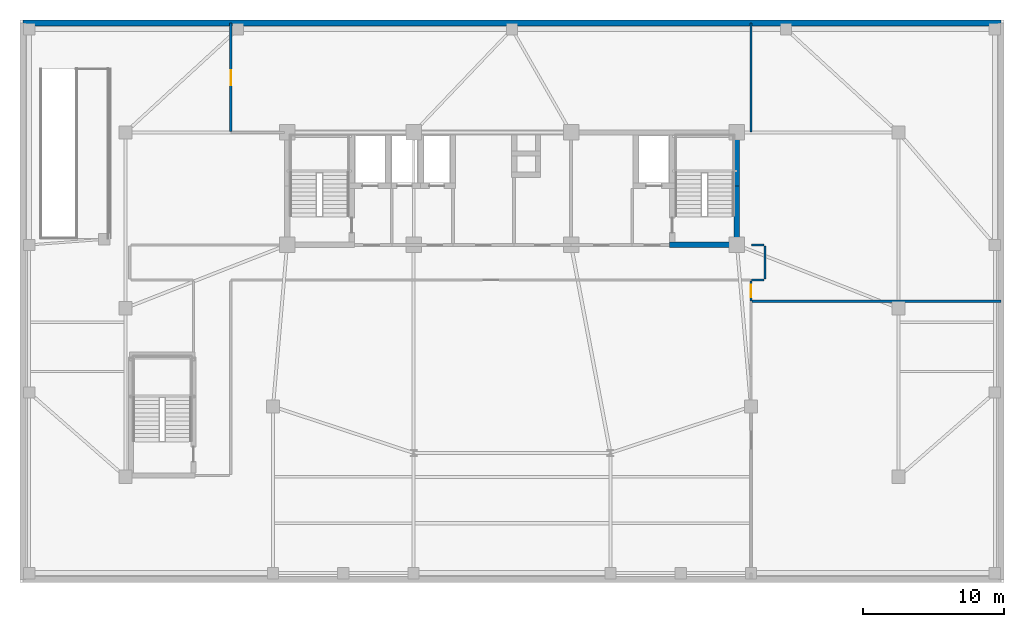
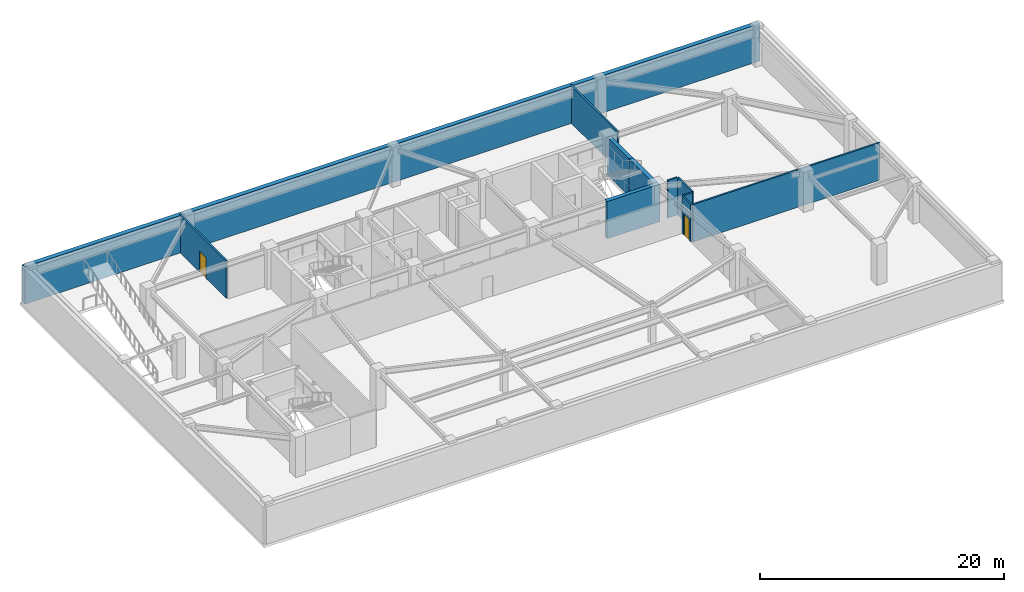
# One storey, part 5 of 8: 11 walls, 2 doors, 2 openings.
"""IFC4 building model written with IfcOpenShell, lengths in metres."""

from ifc_helpers import new_model, si_unit, direction, frame, frame_2d, origin, place, context, subcontext, project, spatial, rectangle, extrude, source, transform, mapped, material, layer, layer_set, type_object, element, fill, save


model = new_model("IFC4")

# Units and contexts
model_context = context("Model", 3, precision=1e-05, world=origin(), true_north=direction((0.0, 1.0)))
body_context = subcontext(model_context, "Body", "Model", "MODEL_VIEW")
ifc_project = project(units=[si_unit("LENGTHUNIT", "METRE"), si_unit("AREAUNIT", "SQUARE_METRE"), si_unit("VOLUMEUNIT", "CUBIC_METRE"), si_unit("PLANEANGLEUNIT", "RADIAN"), si_unit("MASSUNIT", "GRAM", prefix="KILO")], contexts=[model_context])

# Site, building, storey
site_placement = place(None, origin())
site = spatial("IfcSite", under=ifc_project, at=site_placement, CompositionType="ELEMENT")
building_placement = place(site_placement, origin())
building = spatial("IfcBuilding", under=site, at=building_placement, Name="Taldren Reach Tower", CompositionType="ELEMENT")
storey_placement = place(building_placement, frame((0.0, 0.0, -4.0)))
storey = spatial("IfcBuildingStorey", under=building, at=storey_placement, Name="B1", CompositionType="ELEMENT", Elevation=-4.0)

# Walls
ifc_material_1 = material(Name="Concrete S50 (50 MPa)", Category="concrete")
ifc_layer_1 = layer(ifc_material_1, 0.4, Name="Concrete S50 (50 MPa)", Category="concrete")
ifc_material_2 = material(Name="SBS Waterproofing Membrane", Category="bitumen")
ifc_layer_2 = layer(ifc_material_2, 0.02, Name="SBS Waterproofing Membrane", Category="bitumen")
ifc_layer_set_1 = layer_set([ifc_layer_1, ifc_layer_2], Name="Concrete 50 MPa (S50) Retaining Wall with Waterproofing Membrane")
wall_type_1 = type_object("IfcWallType", Name="EW-RET-420", PredefinedType="SOLIDWALL", material=ifc_layer_set_1)
shared_shape_1 = source(origin(), body_context, "Body", "SweptSolid", [
    extrude(rectangle(XDim=69.580078125, YDim=0.419921875, at=frame_2d((34.7900390625, 0.0))), origin(), (0.0, 0.0, 1.0), 3.739990234375),
])
wall_1_placement = place(storey_placement, frame((69.7900390625, 39.7900390625, 0.0), z_axis=(0.0, 0.0, 1.0), x_axis=(-1.0, 0.0, 0.0)))
element("IfcWall", 1, at=wall_1_placement, inside=storey, type_object=wall_type_1, Name="Basement diaphragm retaining wall B1-N", PredefinedType="SOLIDWALL", context=body_context, shape_type="MappedRepresentation", body=[
    mapped(shared_shape_1, transform((0.0, 0.0, 0.0), scale=1.0)),
])
ifc_material_3 = material(Name="Concrete S80 (80 MPa)", Category="concrete")
ifc_layer_3 = layer(ifc_material_3, 0.3798828125)
ifc_layer_set_2 = layer_set([ifc_layer_3], Name="Concrete S80 (80 MPa)")
wall_type_2 = type_object("IfcWallType", Name="IW-CORE-380", PredefinedType="SHEAR", material=ifc_layer_set_2)
shared_shape_2 = source(origin(), body_context, "Body", "SweptSolid", [
    extrude(rectangle(XDim=4.010009765625, YDim=0.3798828125, at=frame_2d((2.0048828125, 0.0))), origin(), (0.0, 0.0, 1.0), 3.739990234375),
])
wall_2_placement = place(storey_placement, frame((51.0, 24.18994140625, 0.0), z_axis=(0.0, 0.0, 1.0), x_axis=(0.0, 1.0, 0.0)))
element("IfcWall", 2, at=wall_2_placement, inside=storey, type_object=wall_type_2, Name="Rear Core Shear Wall W-CORE-B1-EAST1", PredefinedType="SHEAR", context=body_context, shape_type="MappedRepresentation", body=[
    mapped(shared_shape_2, transform((0.0, 0.0, 0.0), scale=1.0)),
])
shared_shape_3 = source(origin(), body_context, "Body", "SweptSolid", [
    extrude(rectangle(XDim=3.610107421875, YDim=0.3798828125, at=frame_2d((1.80517578125, 0.0))), origin(), (0.0, 0.0, 1.0), 3.739990234375),
])
wall_3_placement = place(storey_placement, frame((51.0, 28.199951171875, 0.0), z_axis=(0.0, 0.0, 1.0), x_axis=(0.0, 1.0, 0.0)))
element("IfcWall", 3, at=wall_3_placement, inside=storey, type_object=wall_type_2, Name="Rear Core Shear Wall W-CORE-B1-EAST2", PredefinedType="SHEAR", context=body_context, shape_type="MappedRepresentation", body=[
    mapped(shared_shape_3, transform((0.0, 0.0, 0.0), scale=1.0)),
])
shared_shape_4 = source(origin(), body_context, "Body", "SweptSolid", [
    extrude(rectangle(XDim=4.97998046875, YDim=0.3798828125, at=frame_2d((2.489990234375, 0.0))), origin(), (0.0, 0.0, 1.0), 3.739990234375),
])
wall_4_placement = place(storey_placement, frame((46.2099609375, 24.0, 0.0), z_axis=(0.0, 0.0, 1.0), x_axis=(1.0, 0.0, 0.0)))
element("IfcWall", 4, at=wall_4_placement, inside=storey, type_object=wall_type_2, Name="Rear Core Shear Wall W-INT-B1-010", PredefinedType="SHEAR", context=body_context, shape_type="MappedRepresentation", body=[
    mapped(shared_shape_4, transform((0.0, 0.0, 0.0), scale=1.0)),
])
ifc_material_4 = material(Name="Fire-Rated Acoustic Plasterboard Stud Wall", Category="gypsum")
ifc_layer_4 = layer(ifc_material_4, 0.159912109375)
ifc_layer_set_3 = layer_set([ifc_layer_4], Name="Fire-Rated Acoustic Plasterboard Stud Wall")
wall_type_3 = type_object("IfcWallType", Name="IW-FIRE-160", PredefinedType="PARTITIONING", material=ifc_layer_set_3)
shared_shape_5 = source(origin(), body_context, "Body", "SweptSolid", [
    extrude(rectangle(XDim=2.33984375, YDim=0.159912109375, at=frame_2d((1.169921875, 0.0))), origin(), (0.0, 0.0, 1.0), 3.739990234375),
])
wall_5_placement = place(storey_placement, frame((53.0, 23.919921875, 0.0), z_axis=(0.0, 0.0, 1.0), x_axis=(0.0, -1.0, 0.0)))
element("IfcWall", 5, at=wall_5_placement, inside=storey, type_object=wall_type_3, Name="Interior Partition Wall W-INT-B1-043", PredefinedType="PARTITIONING", context=body_context, shape_type="MappedRepresentation", body=[
    mapped(shared_shape_5, transform((0.0, 0.0, 0.0), scale=1.0)),
])
shared_shape_6 = source(origin(), body_context, "Body", "SweptSolid", [
    extrude(rectangle(XDim=0.899658203125, YDim=0.159912109375, at=frame_2d((0.44970703125, 0.0))), origin(), (0.0, 0.0, 1.0), 3.739990234375),
])
for number, where, z_axis, x_axis, name in (
    (6, (52.919921875, 21.5, 0.0), (0.0, 0.0, 1.0), (-1.0, 0.0, 0.0), "Interior Partition Wall W-INT-B1-044"),
    (7, (52.020263671875, 24.0, 0.0), (0.0, 0.0, 1.0), (1.0, 0.0, 0.0), "Interior Partition Wall W-INT-B1-045"),
):
    element("IfcWall", number, at=place(storey_placement, frame(where, z_axis=z_axis, x_axis=x_axis)), inside=storey, type_object=wall_type_3, Name=name, PredefinedType="PARTITIONING", context=body_context, shape_type="MappedRepresentation", body=[
        mapped(shared_shape_6, transform((0.0, 0.0, 0.0), scale=1.0)),
    ])

# Wall, opening, door
shared_shape_7 = source(origin(), body_context, "Body", "SweptSolid", [
    extrude(rectangle(XDim=1.399658203125, YDim=0.159912109375, at=frame_2d((0.69970703125, 0.0))), origin(), (0.0, 0.0, 1.0), 3.739990234375),
])
wall_6_placement = place(storey_placement, frame((52.0, 21.419921875, 0.0), z_axis=(0.0, 0.0, 1.0), x_axis=(0.0, -1.0, 0.0)))
wall_6 = element("IfcWall", 8, at=wall_6_placement, inside=storey, type_object=wall_type_3, Name="Interior Partition Wall W-INT-B1-047", PredefinedType="PARTITIONING", context=body_context, shape_type="MappedRepresentation", body=[
    mapped(shared_shape_7, transform((0.0, 0.0, 0.0), scale=1.0)),
])
shared_shape_8 = source(origin(), body_context, "Body", "SweptSolid", [
    extrude(rectangle(XDim=0.89990234375, YDim=2.10009765625, at=frame_2d((0.449951171875, 1.050048828125))), frame((0.0, 0.08984375, 0.0), z_axis=(0.0, -1.0, 0.0), x_axis=(1.0, 0.0, 0.0)), (0.0, 0.0, 1.0), 0.179931640625),
])
opening_1_placement = place(wall_6_placement, frame((0.25, 0.0, 0.0)))
opening_1 = element("IfcOpeningElement", 9, at=opening_1_placement, cuts=wall_6, Name="Opening DG-090", PredefinedType="OPENING", context=body_context, shape_type="MappedRepresentation", body=[
    mapped(shared_shape_8, transform((0.0, 0.0, 0.0), scale=1.0)),
])
ifc_material_5 = material(Name="Galvanised Steel Gr 350 (C350L0) Plant Security Gate", Category="steel")
door_type_1 = type_object("IfcDoorType", Name="ID-GATE-090", OperationType="NOTDEFINED", PredefinedType="GATE", material=ifc_material_5)
shared_shape_9 = source(origin(), body_context, "Body", "SweptSolid", [
    extrude(rectangle(XDim=0.89990234375, YDim=2.10009765625, at=frame_2d((0.449951171875, 1.050048828125))), frame((0.0, 0.02490234375, 0.0), z_axis=(0.0, -1.0, 0.0), x_axis=(1.0, 0.0, 0.0)), (0.0, 0.0, 1.0), 0.050048828125),
])
door_1_placement = place(opening_1_placement, origin())
door_1 = element("IfcDoor", 10, at=door_1_placement, inside=storey, type_object=door_type_1, Name="Interior Door DR-B1-012", OperationType="SINGLE_SWING_LEFT", OverallHeight=2.10009765625, OverallWidth=0.89990234375, PredefinedType="GATE", context=body_context, shape_type="MappedRepresentation", body=[
    mapped(shared_shape_9, transform((0.0, 0.0, 0.0), scale=1.0)),
])
fill(opening_1, door_1)

shared_shape_10 = source(origin(), body_context, "Body", "SweptSolid", [
    extrude(rectangle(XDim=7.68994140625, YDim=0.159912109375, at=frame_2d((3.844970703125, 0.0))), origin(), (0.0, 0.0, 1.0), 3.739990234375),
])
wall_7_placement = place(storey_placement, frame((15.0, 39.77001953125, 0.0), z_axis=(0.0, 0.0, 1.0), x_axis=(0.0, -1.0, 0.0)))
wall_7 = element("IfcWall", 11, at=wall_7_placement, inside=storey, type_object=wall_type_3, Name="Interior Partition Wall W-INT-B1-048", PredefinedType="PARTITIONING", context=body_context, shape_type="MappedRepresentation", body=[
    mapped(shared_shape_10, transform((0.0, 0.0, 0.0), scale=1.0)),
])
shared_shape_11 = source(origin(), body_context, "Body", "SweptSolid", [
    extrude(rectangle(XDim=1.050048828125, YDim=2.10009765625, at=frame_2d((0.52490234375, 1.050048828125))), frame((0.0, 0.08984375, 0.0), z_axis=(0.0, -1.0, 0.0), x_axis=(1.0, 0.0, 0.0)), (0.0, 0.0, 1.0), 0.179931640625),
])
opening_2_placement = place(wall_7_placement, frame((3.349853515625, 0.0, 0.0)))
opening_2 = element("IfcOpeningElement", 12, at=opening_2_placement, cuts=wall_7, Name="Opening DF-105", PredefinedType="OPENING", context=body_context, shape_type="MappedRepresentation", body=[
    mapped(shared_shape_11, transform((0.0, 0.0, 0.0), scale=1.0)),
])
ifc_material_6 = material(Name="Fire-Rated Care and Stair Exit Door")
door_type_2 = type_object("IfcDoorType", Name="ID-FIRE-105", OperationType="NOTDEFINED", PredefinedType="DOOR", material=ifc_material_6)
shared_shape_12 = source(origin(), body_context, "Body", "SweptSolid", [
    extrude(rectangle(XDim=1.050048828125, YDim=2.10009765625, at=frame_2d((0.52490234375, 1.050048828125))), frame((0.0, 0.02490234375, 0.0), z_axis=(0.0, -1.0, 0.0), x_axis=(1.0, 0.0, 0.0)), (0.0, 0.0, 1.0), 0.050048828125),
])
door_2_placement = place(opening_2_placement, origin())
door_2 = element("IfcDoor", 13, at=door_2_placement, inside=storey, type_object=door_type_2, Name="Interior Door DR-B1-013", OperationType="SINGLE_SWING_RIGHT", OverallHeight=2.10009765625, OverallWidth=1.050048828125, PredefinedType="DOOR", context=body_context, shape_type="MappedRepresentation", body=[
    mapped(shared_shape_12, transform((0.0, 0.0, 0.0), scale=1.0)),
])
fill(opening_2, door_2)

# Walls
shared_shape_13 = source(origin(), body_context, "Body", "SweptSolid", [
    extrude(rectangle(XDim=17.68994140625, YDim=0.159912109375, at=frame_2d((8.844970703125, 0.0))), origin(), (0.0, 0.0, 1.0), 3.739990234375),
])
wall_8_placement = place(storey_placement, frame((52.080078125, 20.0, 0.0), z_axis=(0.0, 0.0, 1.0), x_axis=(1.0, 0.0, 0.0)))
element("IfcWall", 14, at=wall_8_placement, inside=storey, type_object=wall_type_3, Name="Interior Partition Wall W-INT-B1-050", PredefinedType="PARTITIONING", context=body_context, shape_type="MappedRepresentation", body=[
    mapped(shared_shape_13, transform((0.0, 0.0, 0.0), scale=1.0)),
])
shared_shape_14 = source(origin(), body_context, "Body", "SweptSolid", [
    extrude(rectangle(XDim=7.749755859375, YDim=0.159912109375, at=frame_2d((3.875, 0.0))), origin(), (0.0, 0.0, 1.0), 3.739990234375),
])
wall_9_placement = place(storey_placement, frame((52.0, 32.020263671875, 0.0), z_axis=(0.0, 0.0, 1.0), x_axis=(0.0, 1.0, 0.0)))
element("IfcWall", 15, at=wall_9_placement, inside=storey, type_object=wall_type_3, Name="Interior Partition Wall W-INT-B1-051", PredefinedType="PARTITIONING", context=body_context, shape_type="MappedRepresentation", body=[
    mapped(shared_shape_14, transform((0.0, 0.0, 0.0), scale=1.0)),
])

save(model, "model.ifc")
